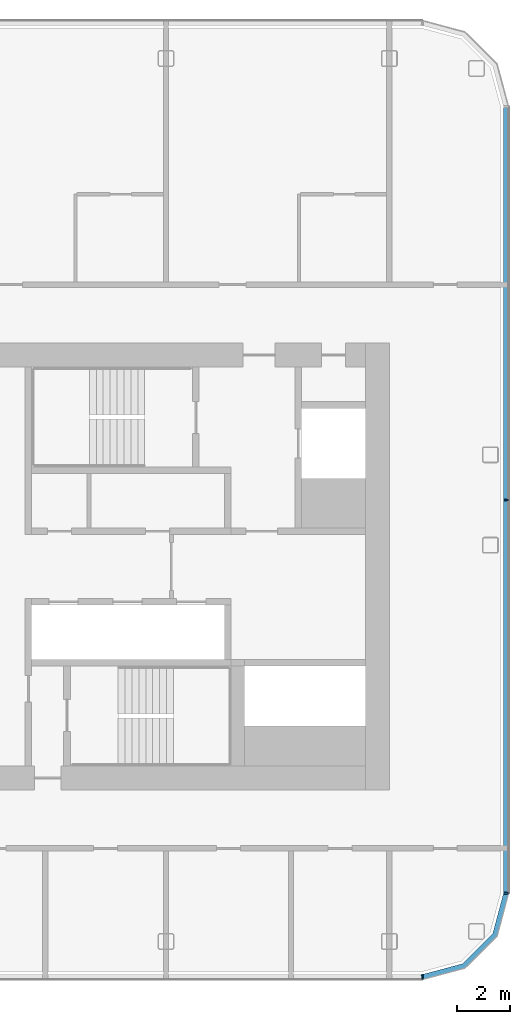
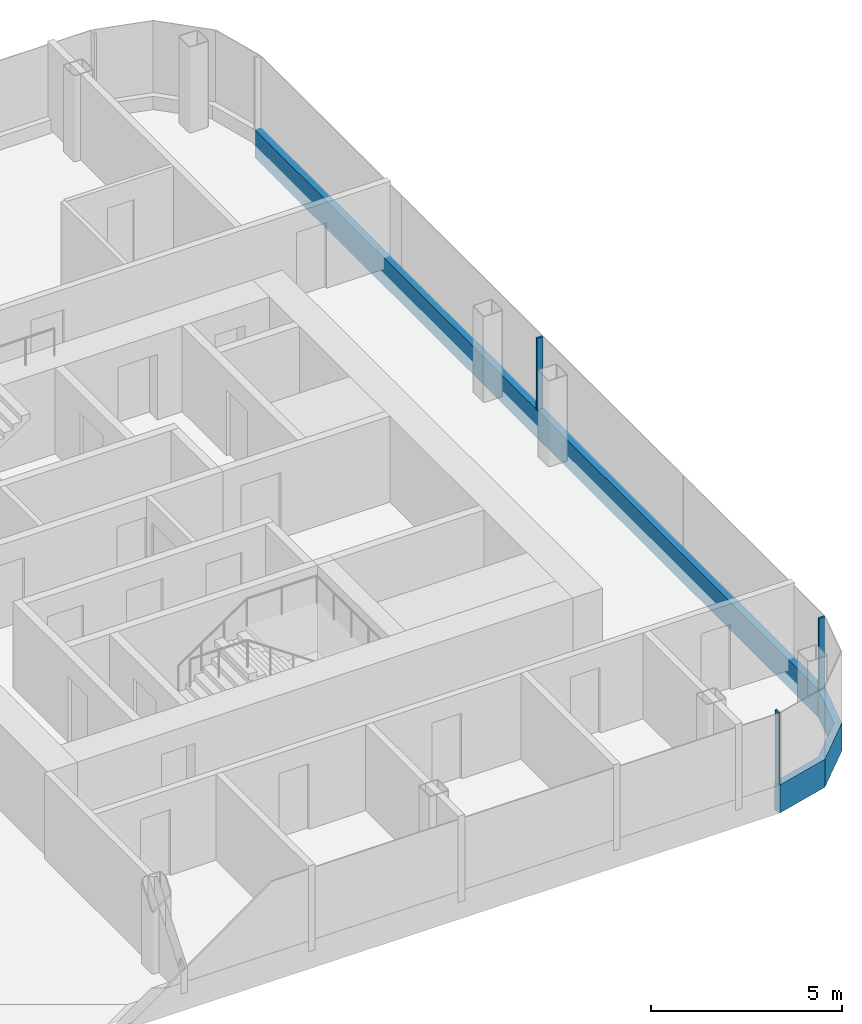
# One storey, part 10 of 25: 5 members, 3 elements without a shape of their own.
"""IFC4 building model written with IfcOpenShell, lengths in metres."""

from ifc_helpers import new_model, si_unit, direction, frame, origin, origin_2d, place, context, subcontext, project, spatial, polyline, rectangle, outline, extrude, material, layer, layer_set, material_profile, profile_set, type_object, element, aggregate, save


model = new_model("IFC4")

# Units and contexts
model_context = context("Model", 3, precision=1e-05, world=origin(), true_north=direction((0.0, 1.0)))
body_context = subcontext(model_context, "Body", "Model", "MODEL_VIEW")
ifc_project = project(units=[si_unit("LENGTHUNIT", "METRE"), si_unit("AREAUNIT", "SQUARE_METRE"), si_unit("VOLUMEUNIT", "CUBIC_METRE"), si_unit("PLANEANGLEUNIT", "RADIAN"), si_unit("MASSUNIT", "GRAM", prefix="KILO")], contexts=[model_context])

# Site, building, storey
site_placement = place(None, origin())
site = spatial("IfcSite", under=ifc_project, at=site_placement, CompositionType="ELEMENT")
building_placement = place(site_placement, origin())
building = spatial("IfcBuilding", under=site, at=building_placement, Name="Hakoniwa Tower and Hamabe Station Hall", CompositionType="ELEMENT")
storey_placement = place(building_placement, frame((0.0, 0.0, 186.60009765625)))
storey = spatial("IfcBuildingStorey", under=building, at=storey_placement, Name="L52", CompositionType="ELEMENT", Elevation=186.60009765625)

# Curtain wall, member
ifc_material_1 = material(Name="Dark low-e laminated glass", Category="glass")
ifc_layer = layer(ifc_material_1, 0.199951171875)
ifc_layer_set = layer_set([ifc_layer], Name="CW-1 UNITISED GUEST")
curtain_wall_type = type_object("IfcCurtainWallType", Name="CW-1 UNITISED GUEST", PredefinedType="NOTDEFINED", material=ifc_layer_set)
curtain_wall_1_placement = place(storey_placement, origin())
curtain_wall_1 = element("IfcCurtainWall", 1, at=curtain_wall_1_placement, inside=storey, type_object=curtain_wall_type, Name="CW-1 curtain wall", PredefinedType="NOTDEFINED")
ifc_material_2 = material(Name="Aluminium 6063-T5 black anodised", Category="aluminium")
ifc_material_profile_1 = material_profile(ifc_material_2, rectangle(XDim=0.199951171875, YDim=0.89990234375, at=origin_2d()), Name="CW SLAB-EDGE BAND 900X200")
ifc_profile_set_1 = profile_set([ifc_material_profile_1], Name="Aluminium 6063-T5 black anodised")
member_type_1 = type_object("IfcMemberType", Name="CW SLAB-EDGE BAND 900X200", PredefinedType="USERDEFINED", material=ifc_profile_set_1)
member_1_placement = place(storey_placement, frame((38.0, -12.28955078125, -0.10009765625), z_axis=(0.0, 1.0, 0.0), x_axis=(-1.0, 0.0, 0.0)))
member_1 = element("IfcMember", 2, at=member_1_placement, type_object=member_type_1, Name="CW-1 transom", ObjectType="TRANSOM", PredefinedType="USERDEFINED", context=body_context, shape_type="SweptSolid", body=[
    extrude(rectangle(XDim=0.199951171875, YDim=0.89990234375, at=origin_2d()), origin(), (0.0, 0.0, 1.0), 29.5791015625),
])

curtain_wall_2_placement = place(storey_placement, origin())
curtain_wall_2 = element("IfcCurtainWall", 3, at=curtain_wall_2_placement, inside=storey, type_object=curtain_wall_type, Name="CW-1 curtain wall", PredefinedType="NOTDEFINED")
member_2_placement = place(storey_placement, frame((0.0, 0.0, -0.550048828125)))
member_2 = element("IfcMember", 4, at=member_2_placement, type_object=member_type_1, Name="CW-1 transom", ObjectType="TRANSOM", PredefinedType="USERDEFINED", context=body_context, shape_type="SweptSolid", body=[
    extrude(outline(polyline([(34.839599609375, -15.550048828125), (36.455322265625, -15.116943359375), (37.6669921875, -13.9052734375), (38.10009765625, -12.28955078125), (37.90673828125, -12.23779296875), (37.48779296875, -13.8017578125), (36.351806640625, -14.937744140625), (34.787841796875, -15.35693359375), (34.839599609375, -15.550048828125)])), origin(), (0.0, 0.0, 1.0), 0.89990234375),
])
aggregate(curtain_wall_2, [member_2])

# Member
ifc_material_3 = material(Name="Aluminium 6063-T5 black anodised", Category="aluminium")
ifc_material_profile_2 = material_profile(ifc_material_3, rectangle(XDim=0.06005859375, YDim=0.179931640625, at=origin_2d()), Name="CW-1 MULLION 60X180")
ifc_profile_set_2 = profile_set([ifc_material_profile_2], Name="Aluminium 6063-T5 black anodised")
member_type_2 = type_object("IfcMemberType", Name="CW-1 MULLION 60X180", PredefinedType="MULLION", material=ifc_profile_set_2)
member_3_placement = place(storey_placement, frame((37.98193359375, -12.28955078125, 0.349853515625), z_axis=(0.0, 0.0, 1.0), x_axis=(0.0, 1.0, 0.0)))
member_3 = element("IfcMember", 5, at=member_3_placement, type_object=member_type_2, Name="CW-1 mullion", PredefinedType="MULLION", context=body_context, shape_type="SweptSolid", body=[
    extrude(rectangle(XDim=0.06005859375, YDim=0.179931640625, at=origin_2d()), origin(), (0.0, 0.0, 1.0), 2.300048828125),
])

member_4_placement = place(storey_placement, frame((37.98193359375, 2.5, 0.349853515625), z_axis=(0.0, 0.0, 1.0), x_axis=(0.0, 1.0, 0.0)))
member_4 = element("IfcMember", 6, at=member_4_placement, type_object=member_type_2, Name="CW-1 mullion", PredefinedType="MULLION", context=body_context, shape_type="SweptSolid", body=[
    extrude(rectangle(XDim=0.06005859375, YDim=0.179931640625, at=origin_2d()), origin(), (0.0, 0.0, 1.0), 2.300048828125),
])

aggregate(curtain_wall_1, [member_3, member_4, member_1])

# Curtain wall, member
curtain_wall_3_placement = place(storey_placement, origin())
curtain_wall_3 = element("IfcCurtainWall", 7, at=curtain_wall_3_placement, inside=storey, type_object=curtain_wall_type, Name="CW-1 curtain wall", PredefinedType="NOTDEFINED")
member_5_placement = place(storey_placement, frame((34.839599609375, -15.431884765625, 0.349853515625), z_axis=(0.0, 0.0, 1.0), x_axis=(1.0, 0.0, 0.0)))
member_5 = element("IfcMember", 8, at=member_5_placement, type_object=member_type_2, Name="CW-1 mullion", PredefinedType="MULLION", context=body_context, shape_type="SweptSolid", body=[
    extrude(rectangle(XDim=0.06005859375, YDim=0.179931640625, at=origin_2d()), origin(), (0.0, 0.0, 1.0), 2.300048828125),
])
aggregate(curtain_wall_3, [member_5])

save(model, "model.ifc")
